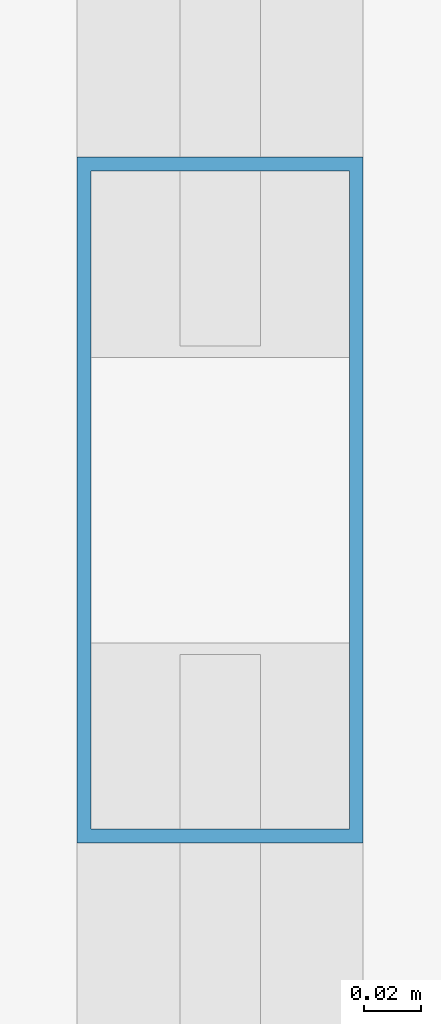
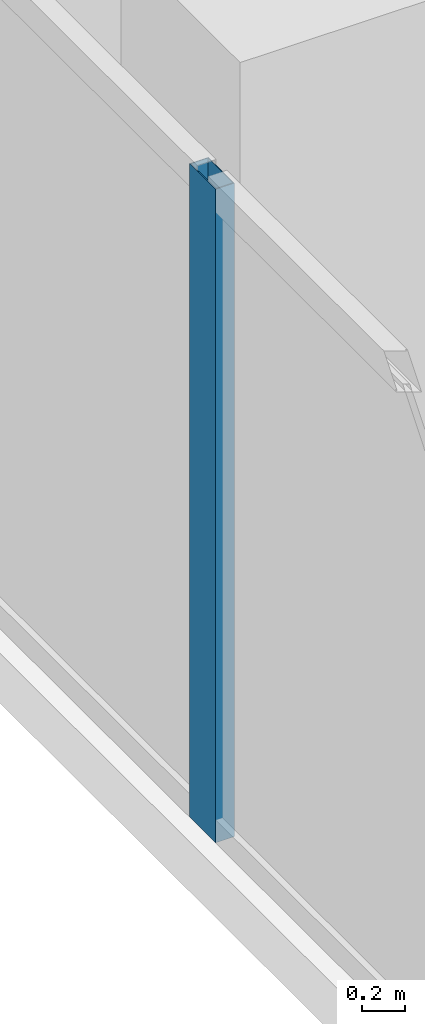
# One storey, part 8 of 29: 1 member, 1 element without a shape of its own.
"""IFC4 building model written with IfcOpenShell, lengths in metres."""

from ifc_helpers import new_model, si_unit, direction, frame, origin, origin_2d, place, context, subcontext, project, spatial, hollow_rectangle, extrude, material, layer, layer_set, material_profile, profile_set, type_object, element, aggregate, save


model = new_model("IFC4")

# Units and contexts
model_context = context("Model", 3, precision=1e-05, world=origin(), true_north=direction((0.0, 1.0)))
body_context = subcontext(model_context, "Body", "Model", "MODEL_VIEW")
ifc_project = project(units=[si_unit("LENGTHUNIT", "METRE"), si_unit("AREAUNIT", "SQUARE_METRE"), si_unit("VOLUMEUNIT", "CUBIC_METRE"), si_unit("PLANEANGLEUNIT", "RADIAN"), si_unit("MASSUNIT", "GRAM", prefix="KILO")], contexts=[model_context])

# Site, building, storey
site_placement = place(None, origin())
site = spatial("IfcSite", under=ifc_project, at=site_placement, CompositionType="ELEMENT")
building_placement = place(site_placement, origin())
building = spatial("IfcBuilding", under=site, at=building_placement, Name="Khorvyn Point Tower", CompositionType="ELEMENT")
storey_placement = place(building_placement, frame((0.0, 0.0, 136.800048828125)))
storey = spatial("IfcBuildingStorey", under=building, at=storey_placement, Name="L34", CompositionType="ELEMENT", Elevation=136.800048828125)

# Curtain wall, member
ifc_material_1 = material(Name="Anodised aluminium 6063-T6 and laminated Low-E glass", Category="aluminium")
ifc_layer = layer(ifc_material_1, 0.18994140625)
ifc_layer_set = layer_set([ifc_layer], Name="Stick-Built Acoustic Curtain Wall CW-SYS-03")
curtain_wall_type = type_object("IfcCurtainWallType", Name="Stick-Built Acoustic Curtain Wall CW-SYS-03", PredefinedType="NOTDEFINED", material=ifc_layer_set)
curtain_wall_placement = place(storey_placement, origin())
curtain_wall = element("IfcCurtainWall", 1, at=curtain_wall_placement, inside=storey, type_object=curtain_wall_type, Name="Curtain Wall", PredefinedType="NOTDEFINED")
ifc_material_2 = material(Name="Anodised aluminium 6063-T6", Category="aluminium")
ifc_material_profile = material_profile(ifc_material_2, hollow_rectangle(XDim=0.10009765625, YDim=0.239990234375, WallThickness=0.0048828125, at=origin_2d()))
ifc_profile_set = profile_set([ifc_material_profile], Name="Anodised aluminium 6063-T6 ALU-MUL-100x240")
member_type = type_object("IfcMemberType", Name="Anodised Aluminium 6063-T6 Mullion ALU-MUL-100x240", PredefinedType="MULLION", material=ifc_profile_set)
member_placement = place(storey_placement, frame((-19.75, 6.416748046875, 0.0), z_axis=(0.0, 0.0, 1.0), x_axis=(-1.0, 0.0, 0.0)))
member = element("IfcMember", 2, at=member_placement, type_object=member_type, Name="Transom", PredefinedType="MULLION", context=body_context, shape_type="SweptSolid", body=[
    extrude(hollow_rectangle(XDim=0.10009765625, YDim=0.239990234375, WallThickness=0.0048828125, at=origin_2d()), origin(), (0.0, 0.0, 1.0), 3.679931640625),
])
aggregate(curtain_wall, [member])

save(model, "model.ifc")
